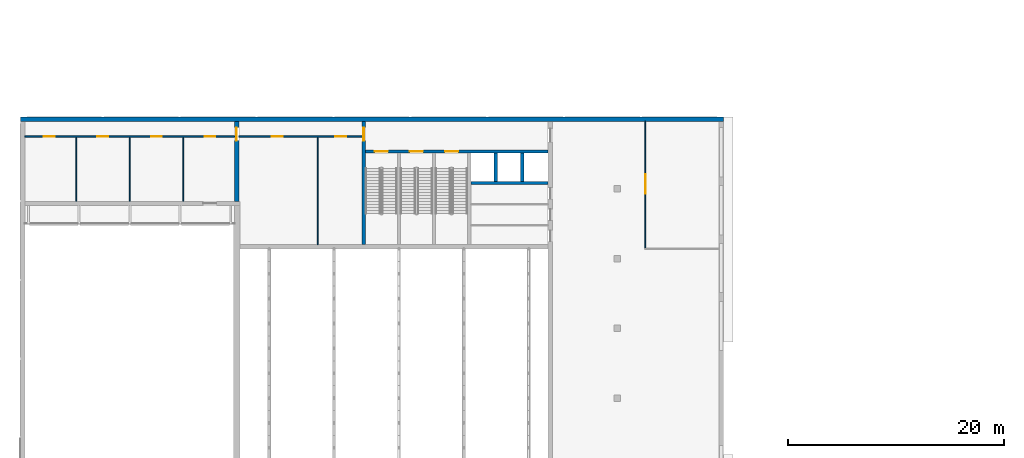
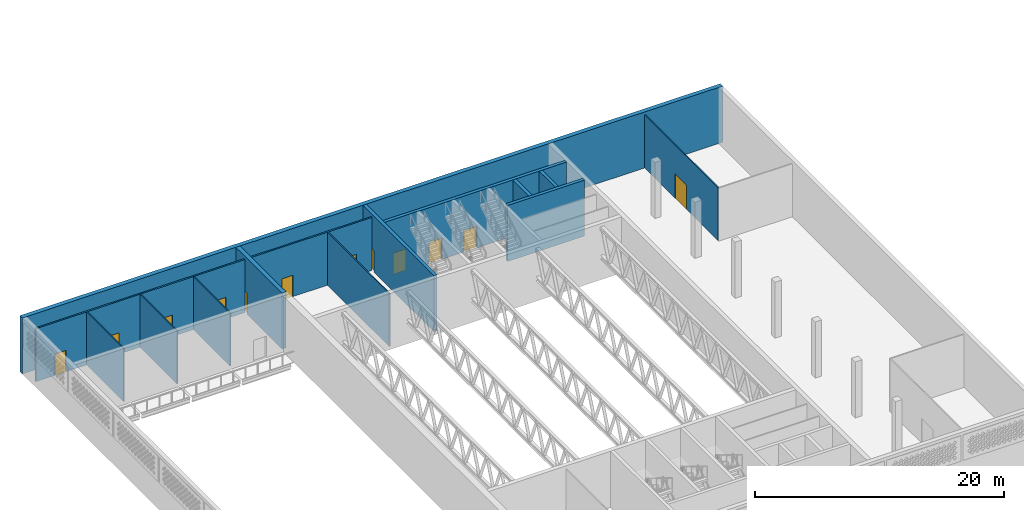
# One storey, part 15 of 69: 14 walls, 12 doors, 12 openings.
"""IFC4 building model written with IfcOpenShell, lengths in metres."""

from ifc_helpers import new_model, si_unit, direction, frame, frame_2d, origin, place, context, subcontext, project, spatial, rectangle, extrude, material, layer, layer_set, type_object, element, fill, save


model = new_model("IFC4")

# Units and contexts
model_context = context("Model", 3, precision=1e-05, world=origin(), true_north=direction((0.0, 1.0)))
body_context = subcontext(model_context, "Body", "Model", "MODEL_VIEW")
ifc_project = project(units=[si_unit("LENGTHUNIT", "METRE"), si_unit("AREAUNIT", "SQUARE_METRE"), si_unit("VOLUMEUNIT", "CUBIC_METRE"), si_unit("PLANEANGLEUNIT", "RADIAN"), si_unit("MASSUNIT", "GRAM", prefix="KILO")], contexts=[model_context])

# Site, building, storey
site_placement = place(None, origin())
site = spatial("IfcSite", under=ifc_project, at=site_placement, CompositionType="ELEMENT")
building_placement = place(site_placement, origin())
building = spatial("IfcBuilding", under=site, at=building_placement, Name="Noorbagh Ring Tower", CompositionType="ELEMENT")
storey_placement = place(building_placement, frame((0.0, 0.0, 19.5)))
storey = spatial("IfcBuildingStorey", under=building, at=storey_placement, Name="L03", CompositionType="ELEMENT", Elevation=19.5)

# Walls
ifc_material_1 = material(Name="Gypsum board on steel studs", Category="steel")
ifc_layer_1 = layer(ifc_material_1, 0.10009765625)
ifc_layer_set_1 = layer_set([ifc_layer_1], Name="Gypsum board on steel studs")
wall_type_1 = type_object("IfcWallType", Name="TH-PART-100", PredefinedType="PARTITIONING", material=ifc_layer_set_1)
for number, where, z_axis, x_axis, name in (
    (1, (-154.85009765625, 23.199951171875, 0.0), (0.0, 0.0, 1.0), (0.0, 1.0, 0.0), "L03/th-wall/039"),
    (2, (-149.89990234375, 23.199951171875, 0.0), (0.0, 0.0, 1.0), (0.0, 1.0, 0.0), "L03/th-wall/041"),
    (3, (-144.949951171875, 23.199951171875, 0.0), (0.0, 0.0, 1.0), (0.0, 1.0, 0.0), "L03/th-wall/043"),
):
    element("IfcWall", number, at=place(storey_placement, frame(where, z_axis=z_axis, x_axis=x_axis)), inside=storey, type_object=wall_type_1, Name=name, PredefinedType="PARTITIONING", context=body_context, shape_type="SweptSolid", body=[
        extrude(rectangle(XDim=5.925048828125, YDim=0.10009765625, at=frame_2d((2.96240234375, 0.0))), origin(), (0.0, 0.0, 1.0), 5.199951171875),
    ])
wall_1_placement = place(storey_placement, frame((-132.5, 19.199951171875, 0.0), z_axis=(0.0, 0.0, 1.0), x_axis=(0.0, 1.0, 0.0)))
element("IfcWall", 4, at=wall_1_placement, inside=storey, type_object=wall_type_1, Name="L03/th-wall/046", PredefinedType="PARTITIONING", context=body_context, shape_type="SweptSolid", body=[
    extrude(rectangle(XDim=9.925048828125, YDim=0.10009765625, at=frame_2d((4.96240234375, 0.0))), origin(), (0.0, 0.0, 1.0), 5.199951171875),
])

# Wall, opening, door
wall_2_placement = place(storey_placement, frame((-102.199951171875, 18.85009765625, 0.0), z_axis=(0.0, 0.0, 1.0), x_axis=(0.0, 1.0, 0.0)))
wall_2 = element("IfcWall", 5, at=wall_2_placement, inside=storey, type_object=wall_type_1, Name="L03/th-wall/048", PredefinedType="PARTITIONING", context=body_context, shape_type="SweptSolid", body=[
    extrude(rectangle(XDim=11.75, YDim=0.10009765625, at=frame_2d((5.875, 0.0))), origin(), (0.0, 0.0, 1.0), 5.199951171875),
])
opening_1_placement = place(wall_2_placement, frame((5.050048828125, 0.0, 0.0)))
opening_1 = element("IfcOpeningElement", 6, at=opening_1_placement, cuts=wall_2, Name="Opening TL03-D27", PredefinedType="OPENING", context=body_context, shape_type="SweptSolid", body=[
    extrude(rectangle(XDim=1.800048828125, YDim=2.39990234375, at=frame_2d((0.89990234375, 1.199951171875))), frame((0.0, 0.06005859375, 0.0), z_axis=(0.0, -1.0, 0.0), x_axis=(1.0, 0.0, 0.0)), (0.0, 0.0, 1.0), 0.1201171875),
])
ifc_material_2 = material(Name="Timber", Category="wood")
door_type_1 = type_object("IfcDoorType", Name="TH-DOOR-DBL-1800", OperationType="DOUBLE_DOOR_SINGLE_SWING", PredefinedType="DOOR", material=ifc_material_2)
door_1_placement = place(opening_1_placement, origin())
door_1 = element("IfcDoor", 7, at=door_1_placement, inside=storey, type_object=door_type_1, Name="Door Administration office to Staff room TL03-D27", OperationType="DOUBLE_DOOR_SINGLE_SWING", OverallHeight=2.39990234375, OverallWidth=1.800048828125, PredefinedType="DOOR", context=body_context, shape_type="SweptSolid", body=[
    extrude(rectangle(XDim=1.800048828125, YDim=2.39990234375, at=frame_2d((0.89990234375, 1.199951171875))), frame((0.0, 0.02490234375, 0.0), z_axis=(0.0, -1.0, 0.0), x_axis=(1.0, 0.0, 0.0)), (0.0, 0.0, 1.0), 0.050048828125),
])
fill(opening_1, door_1)

# Wall, openings, doors
ifc_material_3 = material(Name="Gypsum board on steel studs", Category="steel")
ifc_layer_2 = layer(ifc_material_3, 0.14990234375)
ifc_layer_set_2 = layer_set([ifc_layer_2], Name="Gypsum board on steel studs")
wall_type_2 = type_object("IfcWallType", Name="TH-PART-150", PredefinedType="PARTITIONING", material=ifc_layer_set_2)
wall_3_placement = place(storey_placement, frame((-159.60009765625, 29.199951171875, 0.0), z_axis=(0.0, 0.0, 1.0), x_axis=(1.0, 0.0, 0.0)))
wall_3 = element("IfcWall", 8, at=wall_3_placement, inside=storey, type_object=wall_type_2, Name="L03/th-wall/036", PredefinedType="PARTITIONING", context=body_context, shape_type="SweptSolid", body=[
    extrude(rectangle(XDim=19.400146484375, YDim=0.14990234375, at=frame_2d((9.7001953125, 0.0))), origin(), (0.0, 0.0, 1.0), 5.199951171875),
])
opening_2_placement = place(wall_3_placement, frame((1.77490234375, 0.0, 0.0)))
opening_2 = element("IfcOpeningElement", 9, at=opening_2_placement, cuts=wall_3, Name="Opening TL03-D13", PredefinedType="OPENING", context=body_context, shape_type="SweptSolid", body=[
    extrude(rectangle(XDim=1.0, YDim=2.10009765625, at=frame_2d((0.5, 1.050048828125))), frame((0.0, 0.0849609375, 0.0), z_axis=(0.0, -1.0, 0.0), x_axis=(1.0, 0.0, 0.0)), (0.0, 0.0, 1.0), 0.169921875),
])
opening_3_placement = place(wall_3_placement, frame((6.72509765625, 0.0, 0.0)))
opening_3 = element("IfcOpeningElement", 10, at=opening_3_placement, cuts=wall_3, Name="Opening TL03-D14", PredefinedType="OPENING", context=body_context, shape_type="SweptSolid", body=[
    extrude(rectangle(XDim=1.0, YDim=2.10009765625, at=frame_2d((0.5, 1.050048828125))), frame((0.0, 0.0849609375, 0.0), z_axis=(0.0, -1.0, 0.0), x_axis=(1.0, 0.0, 0.0)), (0.0, 0.0, 1.0), 0.169921875),
])
opening_4_placement = place(wall_3_placement, frame((11.675048828125, 0.0, 0.0)))
opening_4 = element("IfcOpeningElement", 11, at=opening_4_placement, cuts=wall_3, Name="Opening TL03-D15", PredefinedType="OPENING", context=body_context, shape_type="SweptSolid", body=[
    extrude(rectangle(XDim=1.0, YDim=2.10009765625, at=frame_2d((0.5, 1.050048828125))), frame((0.0, 0.0849609375, 0.0), z_axis=(0.0, -1.0, 0.0), x_axis=(1.0, 0.0, 0.0)), (0.0, 0.0, 1.0), 0.169921875),
])
opening_5_placement = place(wall_3_placement, frame((16.625, 0.0, 0.0)))
opening_5 = element("IfcOpeningElement", 12, at=opening_5_placement, cuts=wall_3, Name="Opening TL03-D16", PredefinedType="OPENING", context=body_context, shape_type="SweptSolid", body=[
    extrude(rectangle(XDim=1.0, YDim=2.10009765625, at=frame_2d((0.5, 1.050048828125))), frame((0.0, 0.0849609375, 0.0), z_axis=(0.0, -1.0, 0.0), x_axis=(1.0, 0.0, 0.0)), (0.0, 0.0, 1.0), 0.169921875),
])
ifc_material_4 = material(Name="Timber", Category="wood")
door_type_2 = type_object("IfcDoorType", Name="TH-DOOR-1000", OperationType="SINGLE_SWING_LEFT", PredefinedType="DOOR", material=ifc_material_4)
door_2_placement = place(opening_2_placement, origin())
door_2 = element("IfcDoor", 13, at=door_2_placement, inside=storey, type_object=door_type_2, Name="Door Corridor to Finance office TL03-D13", OperationType="SINGLE_SWING_LEFT", OverallHeight=2.10009765625, OverallWidth=1.0, PredefinedType="DOOR", context=body_context, shape_type="SweptSolid", body=[
    extrude(rectangle(XDim=1.0, YDim=2.10009765625, at=frame_2d((0.5, 1.050048828125))), frame((0.0, 0.02490234375, 0.0), z_axis=(0.0, -1.0, 0.0), x_axis=(1.0, 0.0, 0.0)), (0.0, 0.0, 1.0), 0.050048828125),
])
fill(opening_2, door_2)
door_3_placement = place(opening_3_placement, origin())
door_3 = element("IfcDoor", 14, at=door_3_placement, inside=storey, type_object=door_type_2, Name="Door Corridor to Marketing office TL03-D14", OperationType="SINGLE_SWING_LEFT", OverallHeight=2.10009765625, OverallWidth=1.0, PredefinedType="DOOR", context=body_context, shape_type="SweptSolid", body=[
    extrude(rectangle(XDim=1.0, YDim=2.10009765625, at=frame_2d((0.5, 1.050048828125))), frame((0.0, 0.02490234375, 0.0), z_axis=(0.0, -1.0, 0.0), x_axis=(1.0, 0.0, 0.0)), (0.0, 0.0, 1.0), 0.050048828125),
])
fill(opening_3, door_3)
door_4_placement = place(opening_4_placement, origin())
door_4 = element("IfcDoor", 15, at=door_4_placement, inside=storey, type_object=door_type_2, Name="Door Corridor to Press office TL03-D15", OperationType="SINGLE_SWING_RIGHT", OverallHeight=2.10009765625, OverallWidth=1.0, PredefinedType="DOOR", context=body_context, shape_type="SweptSolid", body=[
    extrude(rectangle(XDim=1.0, YDim=2.10009765625, at=frame_2d((0.5, 1.050048828125))), frame((0.0, 0.02490234375, 0.0), z_axis=(0.0, -1.0, 0.0), x_axis=(1.0, 0.0, 0.0)), (0.0, 0.0, 1.0), 0.050048828125),
])
fill(opening_4, door_4)
ifc_material_5 = material(Name="Steel", Category="steel")
door_type_3 = type_object("IfcDoorType", Name="TH-DOOR-FIRE-1000", OperationType="SINGLE_SWING_LEFT", PredefinedType="DOOR", material=ifc_material_5)
door_5_placement = place(opening_5_placement, origin())
door_5 = element("IfcDoor", 16, at=door_5_placement, inside=storey, type_object=door_type_3, Name="Door Corridor to Gallery access lobby north TL03-D16", OperationType="SINGLE_SWING_RIGHT", OverallHeight=2.10009765625, OverallWidth=1.0, PredefinedType="DOOR", context=body_context, shape_type="SweptSolid", body=[
    extrude(rectangle(XDim=1.0, YDim=2.10009765625, at=frame_2d((0.5, 1.050048828125))), frame((0.0, 0.02490234375, 0.0), z_axis=(0.0, -1.0, 0.0), x_axis=(1.0, 0.0, 0.0)), (0.0, 0.0, 1.0), 0.050048828125),
])
fill(opening_5, door_5)

wall_4_placement = place(storey_placement, frame((-139.800048828125, 29.199951171875, 0.0), z_axis=(0.0, 0.0, 1.0), x_axis=(1.0, 0.0, 0.0)))
wall_4 = element("IfcWall", 17, at=wall_4_placement, inside=storey, type_object=wall_type_2, Name="L03/th-wall/037", PredefinedType="PARTITIONING", context=body_context, shape_type="SweptSolid", body=[
    extrude(rectangle(XDim=11.400146484375, YDim=0.14990234375, at=frame_2d((5.7001953125, 0.0))), origin(), (0.0, 0.0, 1.0), 5.199951171875),
])
opening_6_placement = place(wall_4_placement, frame((3.050048828125, 0.0, 0.0)))
opening_6 = element("IfcOpeningElement", 18, at=opening_6_placement, cuts=wall_4, Name="Opening TL03-D17", PredefinedType="OPENING", context=body_context, shape_type="SweptSolid", body=[
    extrude(rectangle(XDim=1.0, YDim=2.10009765625, at=frame_2d((0.5, 1.050048828125))), frame((0.0, 0.0849609375, 0.0), z_axis=(0.0, -1.0, 0.0), x_axis=(1.0, 0.0, 0.0)), (0.0, 0.0, 1.0), 0.169921875),
])
opening_7_placement = place(wall_4_placement, frame((8.925048828125, 0.0, 0.0)))
opening_7 = element("IfcOpeningElement", 19, at=opening_7_placement, cuts=wall_4, Name="Opening TL03-D18", PredefinedType="OPENING", context=body_context, shape_type="SweptSolid", body=[
    extrude(rectangle(XDim=1.0, YDim=2.10009765625, at=frame_2d((0.5, 1.050048828125))), frame((0.0, 0.0849609375, 0.0), z_axis=(0.0, -1.0, 0.0), x_axis=(1.0, 0.0, 0.0)), (0.0, 0.0, 1.0), 0.169921875),
])
door_6_placement = place(opening_6_placement, origin())
door_6 = element("IfcDoor", 20, at=door_6_placement, inside=storey, type_object=door_type_2, Name="Door Corridor to Library and archive TL03-D17", OperationType="SINGLE_SWING_LEFT", OverallHeight=2.10009765625, OverallWidth=1.0, PredefinedType="DOOR", context=body_context, shape_type="SweptSolid", body=[
    extrude(rectangle(XDim=1.0, YDim=2.10009765625, at=frame_2d((0.5, 1.050048828125))), frame((0.0, 0.02490234375, 0.0), z_axis=(0.0, -1.0, 0.0), x_axis=(1.0, 0.0, 0.0)), (0.0, 0.0, 1.0), 0.050048828125),
])
fill(opening_6, door_6)
door_7_placement = place(opening_7_placement, origin())
door_7 = element("IfcDoor", 21, at=door_7_placement, inside=storey, type_object=door_type_2, Name="Door Corridor to Meeting room TL03-D18", OperationType="SINGLE_SWING_RIGHT", OverallHeight=2.10009765625, OverallWidth=1.0, PredefinedType="DOOR", context=body_context, shape_type="SweptSolid", body=[
    extrude(rectangle(XDim=1.0, YDim=2.10009765625, at=frame_2d((0.5, 1.050048828125))), frame((0.0, 0.02490234375, 0.0), z_axis=(0.0, -1.0, 0.0), x_axis=(1.0, 0.0, 0.0)), (0.0, 0.0, 1.0), 0.050048828125),
])
fill(opening_7, door_7)

# Wall, opening, door
ifc_material_6 = material(Name="Concrete C50/60", Category="concrete")
ifc_layer_3 = layer(ifc_material_6, 0.300048828125)
ifc_layer_set_3 = layer_set([ifc_layer_3], Name="Concrete C50/60")
wall_type_3 = type_object("IfcWallType", Name="TH-WALL-CORE", PredefinedType="SHEAR", material=ifc_layer_set_3)
wall_5_placement = place(storey_placement, frame((-128.25, 19.199951171875, 0.0), z_axis=(0.0, 0.0, 1.0), x_axis=(0.0, 1.0, 0.0)))
wall_5 = element("IfcWall", 22, at=wall_5_placement, inside=storey, type_object=wall_type_3, Name="Core wall", PredefinedType="SHEAR", context=body_context, shape_type="SweptSolid", body=[
    extrude(rectangle(XDim=11.400146484375, YDim=0.300048828125, at=frame_2d((5.7001953125, 0.0))), origin(), (0.0, 0.0, 1.0), 5.5),
])
opening_8_placement = place(wall_5_placement, frame((9.60009765625, 0.0, 0.0)))
opening_8 = element("IfcOpeningElement", 23, at=opening_8_placement, cuts=wall_5, Name="Opening TL03-D20", PredefinedType="OPENING", context=body_context, shape_type="SweptSolid", body=[
    extrude(rectangle(XDim=1.199951171875, YDim=2.10009765625, at=frame_2d((0.60009765625, 1.050048828125))), frame((0.0, 0.16015625, 0.0), z_axis=(0.0, -1.0, 0.0), x_axis=(1.0, 0.0, 0.0)), (0.0, 0.0, 1.0), 0.320068359375),
])
ifc_material_7 = material(Name="Steel", Category="steel")
door_type_4 = type_object("IfcDoorType", Name="TH-DOOR-FIRE-1200", OperationType="SINGLE_SWING_LEFT", PredefinedType="DOOR", material=ifc_material_7)
door_8_placement = place(opening_8_placement, origin())
door_8 = element("IfcDoor", 24, at=door_8_placement, inside=storey, type_object=door_type_4, Name="Door Corridor to Exit lobby TL03-D20", OperationType="SINGLE_SWING_RIGHT", OverallHeight=2.10009765625, OverallWidth=1.199951171875, PredefinedType="DOOR", context=body_context, shape_type="SweptSolid", body=[
    extrude(rectangle(XDim=1.199951171875, YDim=2.10009765625, at=frame_2d((0.60009765625, 1.050048828125))), frame((0.0, 0.02490234375, 0.0), z_axis=(0.0, -1.0, 0.0), x_axis=(1.0, 0.0, 0.0)), (0.0, 0.0, 1.0), 0.050048828125),
])
fill(opening_8, door_8)

# Wall, openings, doors
wall_6_placement = place(storey_placement, frame((-128.10009765625, 27.800048828125, 0.0), z_axis=(0.0, 0.0, 1.0), x_axis=(1.0, 0.0, 0.0)))
wall_6 = element("IfcWall", 25, at=wall_6_placement, inside=storey, type_object=wall_type_3, Name="Exit lobby wall", PredefinedType="SHEAR", context=body_context, shape_type="SweptSolid", body=[
    extrude(rectangle(XDim=16.900146484375, YDim=0.300048828125, at=frame_2d((8.4501953125, 0.0))), origin(), (0.0, 0.0, 1.0), 5.5),
])
opening_9_placement = place(wall_6_placement, frame((4.125, 0.0, 0.0)))
opening_9 = element("IfcOpeningElement", 26, at=opening_9_placement, cuts=wall_6, Name="Opening TL03-D21", PredefinedType="OPENING", context=body_context, shape_type="SweptSolid", body=[
    extrude(rectangle(XDim=1.199951171875, YDim=2.10009765625, at=frame_2d((0.60009765625, 1.050048828125))), frame((0.0, 0.16015625, 0.0), z_axis=(0.0, -1.0, 0.0), x_axis=(1.0, 0.0, 0.0)), (0.0, 0.0, 1.0), 0.320068359375),
])
opening_10_placement = place(wall_6_placement, frame((7.375, 0.0, 0.0)))
opening_10 = element("IfcOpeningElement", 27, at=opening_10_placement, cuts=wall_6, Name="Opening TL03-D22", PredefinedType="OPENING", context=body_context, shape_type="SweptSolid", body=[
    extrude(rectangle(XDim=1.199951171875, YDim=2.10009765625, at=frame_2d((0.60009765625, 1.050048828125))), frame((0.0, 0.16015625, 0.0), z_axis=(0.0, -1.0, 0.0), x_axis=(1.0, 0.0, 0.0)), (0.0, 0.0, 1.0), 0.320068359375),
])
opening_11_placement = place(wall_6_placement, frame((0.875, 0.0, 0.0)))
opening_11 = element("IfcOpeningElement", 28, at=opening_11_placement, cuts=wall_6, Name="Opening TL03-D23", PredefinedType="OPENING", context=body_context, shape_type="SweptSolid", body=[
    extrude(rectangle(XDim=1.199951171875, YDim=2.10009765625, at=frame_2d((0.60009765625, 1.050048828125))), frame((0.0, 0.16015625, 0.0), z_axis=(0.0, -1.0, 0.0), x_axis=(1.0, 0.0, 0.0)), (0.0, 0.0, 1.0), 0.320068359375),
])
ifc_material_8 = material(Name="Steel", Category="steel")
door_type_5 = type_object("IfcDoorType", Name="TH-DOOR-STAIR-1200", OperationType="SINGLE_SWING_LEFT", PredefinedType="DOOR", material=ifc_material_8)
door_9_placement = place(opening_9_placement, origin())
door_9 = element("IfcDoor", 29, at=door_9_placement, inside=storey, type_object=door_type_5, Name="Door Exit lobby to Exit stair N1 TL03-D21", OperationType="SINGLE_SWING_LEFT", OverallHeight=2.10009765625, OverallWidth=1.199951171875, PredefinedType="DOOR", context=body_context, shape_type="SweptSolid", body=[
    extrude(rectangle(XDim=1.199951171875, YDim=2.10009765625, at=frame_2d((0.60009765625, 1.050048828125))), frame((0.0, 0.02490234375, 0.0), z_axis=(0.0, -1.0, 0.0), x_axis=(1.0, 0.0, 0.0)), (0.0, 0.0, 1.0), 0.050048828125),
])
fill(opening_9, door_9)
door_10_placement = place(opening_10_placement, origin())
door_10 = element("IfcDoor", 30, at=door_10_placement, inside=storey, type_object=door_type_5, Name="Door Exit lobby to Exit stair N2 TL03-D22", OperationType="SINGLE_SWING_LEFT", OverallHeight=2.10009765625, OverallWidth=1.199951171875, PredefinedType="DOOR", context=body_context, shape_type="SweptSolid", body=[
    extrude(rectangle(XDim=1.199951171875, YDim=2.10009765625, at=frame_2d((0.60009765625, 1.050048828125))), frame((0.0, 0.02490234375, 0.0), z_axis=(0.0, -1.0, 0.0), x_axis=(1.0, 0.0, 0.0)), (0.0, 0.0, 1.0), 0.050048828125),
])
fill(opening_10, door_10)
door_11_placement = place(opening_11_placement, origin())
door_11 = element("IfcDoor", 31, at=door_11_placement, inside=storey, type_object=door_type_5, Name="Door Exit lobby to Exit stair N3 TL03-D23", OperationType="SINGLE_SWING_LEFT", OverallHeight=2.10009765625, OverallWidth=1.199951171875, PredefinedType="DOOR", context=body_context, shape_type="SweptSolid", body=[
    extrude(rectangle(XDim=1.199951171875, YDim=2.10009765625, at=frame_2d((0.60009765625, 1.050048828125))), frame((0.0, 0.02490234375, 0.0), z_axis=(0.0, -1.0, 0.0), x_axis=(1.0, 0.0, 0.0)), (0.0, 0.0, 1.0), 0.050048828125),
])
fill(opening_11, door_11)

# Walls
wall_7_placement = place(storey_placement, frame((-118.35009765625, 24.89990234375, 0.0), z_axis=(0.0, 0.0, 1.0), x_axis=(1.0, 0.0, 0.0)))
element("IfcWall", 32, at=wall_7_placement, inside=storey, type_object=wall_type_3, Name="Lift shaft wall", PredefinedType="SHEAR", context=body_context, shape_type="SweptSolid", body=[
    extrude(rectangle(XDim=7.150146484375, YDim=0.300048828125, at=frame_2d((3.5751953125, 0.0))), origin(), (0.0, 0.0, 1.0), 5.5),
])
for number, where, z_axis, x_axis, name in (
    (33, (-116.050048828125, 25.050048828125, 0.0), (0.0, 0.0, 1.0), (0.0, 1.0, 0.0), "Lift shaft wall"),
    (34, (-113.60009765625, 25.050048828125, 0.0), (0.0, 0.0, 1.0), (0.0, 1.0, 0.0), "Lift shaft wall"),
):
    element("IfcWall", number, at=place(storey_placement, frame(where, z_axis=z_axis, x_axis=x_axis)), inside=storey, type_object=wall_type_3, Name=name, PredefinedType="SHEAR", context=body_context, shape_type="SweptSolid", body=[
        extrude(rectangle(XDim=2.599853515625, YDim=0.300048828125, at=frame_2d((1.2998046875, 0.0))), origin(), (0.0, 0.0, 1.0), 5.5),
    ])

# Wall, opening, door
ifc_material_9 = material(Name="Concrete C40/50", Category="concrete")
ifc_layer_4 = layer(ifc_material_9, 0.39990234375)
ifc_layer_set_4 = layer_set([ifc_layer_4], Name="Concrete C40/50")
wall_type_4 = type_object("IfcWallType", Name="TH-WALL-INNER", PredefinedType="SOLIDWALL", material=ifc_layer_set_4)
wall_8_placement = place(storey_placement, frame((-140.0, 23.199951171875, 0.0), z_axis=(0.0, 0.0, 1.0), x_axis=(0.0, 1.0, 0.0)))
wall_8 = element("IfcWall", 35, at=wall_8_placement, inside=storey, type_object=wall_type_4, Name="Stage block wall", PredefinedType="SOLIDWALL", context=body_context, shape_type="SweptSolid", body=[
    extrude(rectangle(XDim=7.400146484375, YDim=0.39990234375, at=frame_2d((3.7001953125, 0.0))), origin(), (0.0, 0.0, 1.0), 5.5),
])
opening_12_placement = place(wall_8_placement, frame((5.60009765625, 0.0, 0.0)))
opening_12 = element("IfcOpeningElement", 36, at=opening_12_placement, cuts=wall_8, Name="Opening TL03-D19", PredefinedType="OPENING", context=body_context, shape_type="SweptSolid", body=[
    extrude(rectangle(XDim=1.199951171875, YDim=2.10009765625, at=frame_2d((0.60009765625, 1.050048828125))), frame((0.0, 0.2099609375, 0.0), z_axis=(0.0, -1.0, 0.0), x_axis=(1.0, 0.0, 0.0)), (0.0, 0.0, 1.0), 0.419921875),
])
ifc_material_10 = material(Name="Timber", Category="wood")
door_type_6 = type_object("IfcDoorType", Name="TH-DOOR-1200", OperationType="SINGLE_SWING_LEFT", PredefinedType="DOOR", material=ifc_material_10)
door_12_placement = place(opening_12_placement, origin())
door_12 = element("IfcDoor", 37, at=door_12_placement, inside=storey, type_object=door_type_6, Name="Door Corridor to Corridor TL03-D19", OperationType="SINGLE_SWING_RIGHT", OverallHeight=2.10009765625, OverallWidth=1.199951171875, PredefinedType="DOOR", context=body_context, shape_type="SweptSolid", body=[
    extrude(rectangle(XDim=1.199951171875, YDim=2.10009765625, at=frame_2d((0.60009765625, 1.050048828125))), frame((0.0, 0.02490234375, 0.0), z_axis=(0.0, -1.0, 0.0), x_axis=(1.0, 0.0, 0.0)), (0.0, 0.0, 1.0), 0.050048828125),
])
fill(opening_12, door_12)

# Wall
ifc_material_11 = material(Name="Concrete C40/50", Category="concrete")
ifc_layer_5 = layer(ifc_material_11, 0.39990234375)
ifc_layer_set_5 = layer_set([ifc_layer_5], Name="Concrete C40/50")
wall_type_5 = type_object("IfcWallType", Name="TH-WALL-OUTER", PredefinedType="SOLIDWALL", material=ifc_layer_set_5)
wall_9_placement = place(storey_placement, frame((-160.0, 30.800048828125, 0.0), z_axis=(0.0, 0.0, 1.0), x_axis=(1.0, 0.0, 0.0)))
element("IfcWall", 38, at=wall_9_placement, inside=storey, type_object=wall_type_5, Name="Outer wall north", PredefinedType="SOLIDWALL", context=body_context, shape_type="SweptSolid", body=[
    extrude(rectangle(XDim=65.0, YDim=0.39990234375, at=frame_2d((32.5, 0.0))), origin(), (0.0, 0.0, 1.0), 5.5),
])

save(model, "model.ifc")
